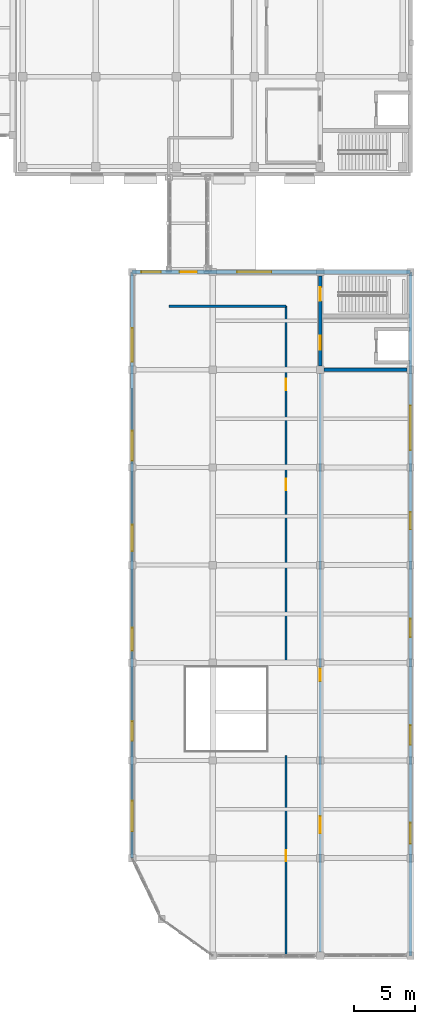
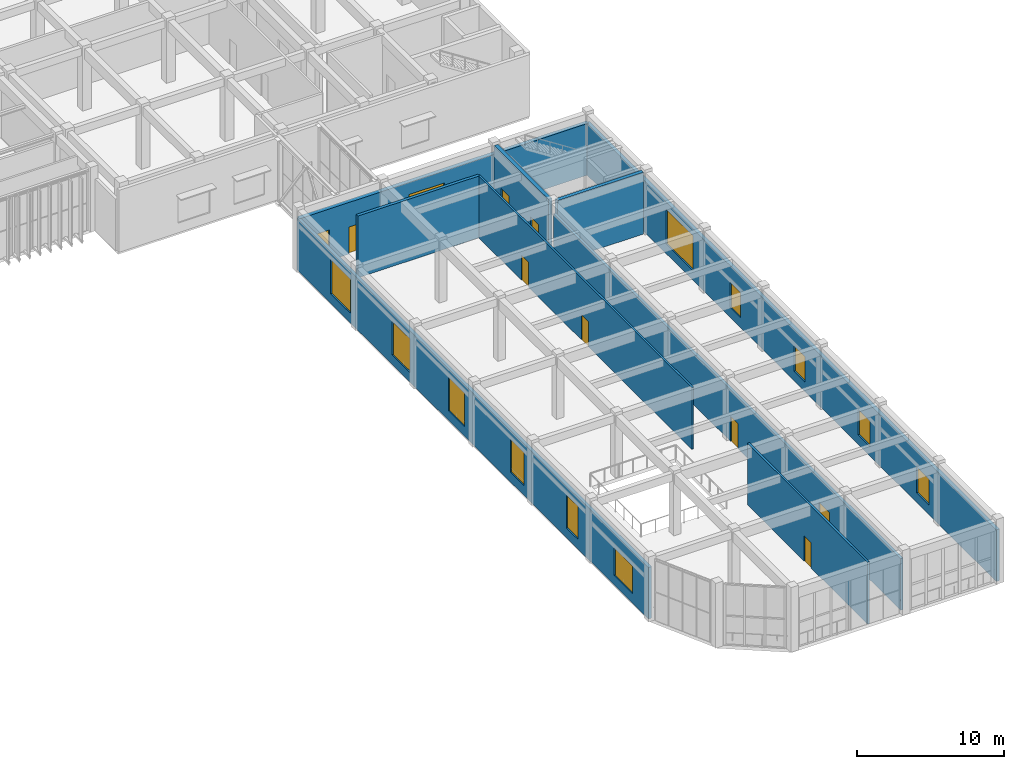
# One storey, part 43 of 64: 13 windows, 9 walls, 8 doors, 21 openings.
"""IFC4 building model written with IfcOpenShell, lengths in metres."""

from ifc_helpers import new_model, si_unit, direction, frame, frame_2d, origin, place, context, subcontext, project, spatial, rectangle, extrude, material, layer, layer_set, type_object, element, fill, save


model = new_model("IFC4")

# Units and contexts
model_context = context("Model", 3, precision=1e-05, world=origin(), true_north=direction((0.0, 1.0)))
body_context = subcontext(model_context, "Body", "Model", "MODEL_VIEW")
ifc_project = project(units=[si_unit("LENGTHUNIT", "METRE"), si_unit("AREAUNIT", "SQUARE_METRE"), si_unit("VOLUMEUNIT", "CUBIC_METRE"), si_unit("PLANEANGLEUNIT", "RADIAN"), si_unit("MASSUNIT", "GRAM", prefix="KILO")], contexts=[model_context])

# Site, building, storey
site_placement = place(None, origin())
site = spatial("IfcSite", under=ifc_project, at=site_placement, CompositionType="ELEMENT")
building_placement = place(site_placement, origin())
building = spatial("IfcBuilding", under=site, at=building_placement, Name="Cinchona Park Media Centre", CompositionType="ELEMENT")
storey_placement = place(building_placement, frame((0.0, 0.0, 10.199951171875)))
storey = spatial("IfcBuildingStorey", under=building, at=storey_placement, Name="L02", CompositionType="ELEMENT", Elevation=10.199951171875)

# Wall, openings, doors
ifc_material_1 = material(Name="Acoustic Double-Stud Gypsum Partition", Category="gypsum")
ifc_layer_1 = layer(ifc_material_1, 0.2099609375)
ifc_layer_set_1 = layer_set([ifc_layer_1], Name="Acoustic Double-Stud Gypsum Partition")
wall_type_1 = type_object("IfcWallType", Name="WALL-W-AC210", PredefinedType="PARTITIONING", material=ifc_layer_set_1)
wall_1_placement = place(storey_placement, frame((164.60009765625, 55.298095703125, 0.0), z_axis=(0.0, 0.0, 1.0), x_axis=(0.0, -1.0, 0.0)))
wall_1 = element("IfcWall", 1, at=wall_1_placement, inside=storey, type_object=wall_type_1, Name="Interior Wall W-AC210 L02", PredefinedType="PARTITIONING", context=body_context, shape_type="SweptSolid", body=[
    extrude(rectangle(XDim=47.39599609375, YDim=0.2099609375, at=frame_2d((23.697998046875, 0.0))), origin(), (0.0, 0.0, 1.0), 4.300048828125),
])
opening_1_placement = place(wall_1_placement, frame((24.179931640625, 0.0, 0.0)))
opening_1 = element("IfcOpeningElement", 2, at=opening_1_placement, cuts=wall_1, Name="Opening D288", PredefinedType="OPENING", context=body_context, shape_type="SweptSolid", body=[
    extrude(rectangle(XDim=1.02001953125, YDim=2.10009765625, at=frame_2d((0.510009765625, 1.050048828125))), frame((0.0, 0.114990234375, 0.0), z_axis=(0.0, -1.0, 0.0), x_axis=(1.0, 0.0, 0.0)), (0.0, 0.0, 1.0), 0.22998046875),
])
opening_2_placement = place(wall_1_placement, frame((36.26904296875, 0.0, 0.0)))
opening_2 = element("IfcOpeningElement", 3, at=opening_2_placement, cuts=wall_1, Name="Opening D289", PredefinedType="OPENING", context=body_context, shape_type="SweptSolid", body=[
    extrude(rectangle(XDim=1.39990234375, YDim=2.25, at=frame_2d((0.699951171875, 1.125))), frame((0.0, 0.114990234375, 0.0), z_axis=(0.0, -1.0, 0.0), x_axis=(1.0, 0.0, 0.0)), (0.0, 0.0, 1.0), 0.22998046875),
])
ifc_material_2 = material(Name="Acoustic Double-Seal Steel Door", Category="steel")
door_type_1 = type_object("IfcDoorType", Name="DOOR-DT-AC", OperationType="NOTDEFINED", PredefinedType="DOOR", material=ifc_material_2)
door_1_placement = place(opening_2_placement, origin())
door_1 = element("IfcDoor", 4, at=door_1_placement, inside=storey, type_object=door_type_1, Name="Interior Door D289", OperationType="SINGLE_SWING_LEFT", OverallHeight=2.25, OverallWidth=1.39990234375, PredefinedType="DOOR", context=body_context, shape_type="SweptSolid", body=[
    extrude(rectangle(XDim=1.39990234375, YDim=2.25, at=frame_2d((0.699951171875, 1.125))), frame((0.0, 0.02490234375, 0.0), z_axis=(0.0, -1.0, 0.0), x_axis=(1.0, 0.0, 0.0)), (0.0, 0.0, 1.0), 0.050048828125),
])
fill(opening_2, door_1)
ifc_material_3 = material(Name="Solid-Core Timber Acoustic Door", Category="wood")
door_type_2 = type_object("IfcDoorType", Name="DOOR-DT05", OperationType="NOTDEFINED", PredefinedType="DOOR", material=ifc_material_3)
door_2_placement = place(opening_1_placement, origin())
door_2 = element("IfcDoor", 5, at=door_2_placement, inside=storey, type_object=door_type_2, Name="Interior Door D288", OperationType="SINGLE_SWING_RIGHT", OverallHeight=2.10009765625, OverallWidth=1.02001953125, PredefinedType="DOOR", context=body_context, shape_type="SweptSolid", body=[
    extrude(rectangle(XDim=1.02001953125, YDim=2.10009765625, at=frame_2d((0.510009765625, 1.050048828125))), frame((0.0, 0.02490234375, 0.0), z_axis=(0.0, -1.0, 0.0), x_axis=(1.0, 0.0, 0.0)), (0.0, 0.0, 1.0), 0.050048828125),
])
fill(opening_1, door_2)

# Wall
ifc_material_4 = material(Name="Acoustic Double-Stud Gypsum Partition", Category="gypsum")
ifc_layer_2 = layer(ifc_material_4, 0.239990234375)
ifc_layer_set_2 = layer_set([ifc_layer_2], Name="Acoustic Double-Stud Gypsum Partition")
wall_type_2 = type_object("IfcWallType", Name="WALL-W-AC240", PredefinedType="PARTITIONING", material=ifc_layer_set_2)
wall_2_placement = place(storey_placement, frame((161.800048828125, 60.800048828125, 0.0), z_axis=(0.0, 0.0, 1.0), x_axis=(-1.0, 0.0, 0.0)))
element("IfcWall", 6, at=wall_2_placement, inside=storey, type_object=wall_type_2, Name="Interior Wall W-AC240 L02", PredefinedType="PARTITIONING", context=body_context, shape_type="SweptSolid", body=[
    extrude(rectangle(XDim=9.60009765625, YDim=0.239990234375, at=frame_2d((4.800048828125, 0.0))), origin(), (0.0, 0.0, 1.0), 5.150146484375),
])

# Wall, openings, door, windows
ifc_material_5 = material(Name="Precast concrete C40/50", Category="concrete")
ifc_layer_3 = layer(ifc_material_5, 0.320068359375)
ifc_layer_set_3 = layer_set([ifc_layer_3], Name="Precast concrete C40/50")
wall_type_3 = type_object("IfcWallType", Name="WALL-W-EX02", PredefinedType="SOLIDWALL", material=ifc_layer_set_3)
wall_3_placement = place(storey_placement, frame((149.199951171875, 63.60009765625, 0.0), z_axis=(0.0, 0.0, 1.0), x_axis=(1.0, 0.0, 0.0)))
wall_3 = element("IfcWall", 7, at=wall_3_placement, inside=storey, type_object=wall_type_3, Name="Exterior Wall W-EX02 V6 L02", PredefinedType="SOLIDWALL", context=body_context, shape_type="SweptSolid", body=[
    extrude(rectangle(XDim=22.800048828125, YDim=0.320068359375, at=frame_2d((11.39990234375, 0.0))), origin(), (0.0, 0.0, 1.0), 4.300048828125),
])
opening_3_placement = place(wall_3_placement, frame((0.75, 0.0, 0.89990234375)))
opening_3 = element("IfcOpeningElement", 8, at=opening_3_placement, cuts=wall_3, Name="Opening WN25", PredefinedType="OPENING", context=body_context, shape_type="SweptSolid", body=[
    extrude(rectangle(XDim=1.60009765625, YDim=1.64990234375, at=frame_2d((0.800048828125, 0.824951171875))), frame((0.0, 0.169921875, 0.0), z_axis=(0.0, -1.0, 0.0), x_axis=(1.0, 0.0, 0.0)), (0.0, 0.0, 1.0), 0.340087890625),
])
opening_4_placement = place(wall_3_placement, frame((8.60009765625, 0.0, 0.89990234375)))
opening_4 = element("IfcOpeningElement", 9, at=opening_4_placement, cuts=wall_3, Name="Opening WN15", PredefinedType="OPENING", context=body_context, shape_type="SweptSolid", body=[
    extrude(rectangle(XDim=2.800048828125, YDim=2.39990234375, at=frame_2d((1.39990234375, 1.199951171875))), frame((0.0, 0.169921875, 0.0), z_axis=(0.0, -1.0, 0.0), x_axis=(1.0, 0.0, 0.0)), (0.0, 0.0, 1.0), 0.340087890625),
])
opening_5_placement = place(wall_3_placement, frame((3.89990234375, 0.0, 0.0)))
opening_5 = element("IfcOpeningElement", 10, at=opening_5_placement, cuts=wall_3, Name="Opening D137", PredefinedType="OPENING", context=body_context, shape_type="SweptSolid", body=[
    extrude(rectangle(XDim=1.39990234375, YDim=2.25, at=frame_2d((0.699951171875, 1.125))), frame((0.0, 0.169921875, 0.0), z_axis=(0.0, -1.0, 0.0), x_axis=(1.0, 0.0, 0.0)), (0.0, 0.0, 1.0), 0.340087890625),
])
door_3_placement = place(opening_5_placement, origin())
door_3 = element("IfcDoor", 11, at=door_3_placement, inside=storey, type_object=door_type_1, Name="Interior Door D137", OperationType="SINGLE_SWING_LEFT", OverallHeight=2.25, OverallWidth=1.39990234375, PredefinedType="DOOR", context=body_context, shape_type="SweptSolid", body=[
    extrude(rectangle(XDim=1.39990234375, YDim=2.25, at=frame_2d((0.699951171875, 1.125))), frame((0.0, 0.02490234375, 0.0), z_axis=(0.0, -1.0, 0.0), x_axis=(1.0, 0.0, 0.0)), (0.0, 0.0, 1.0), 0.050048828125),
])
fill(opening_5, door_3)
ifc_material_6 = material(Name="Thermally Broken Aluminium Solar-Control Window", Category="aluminium")
window_type_1 = type_object("IfcWindowType", Name="WIN-WN15", PartitioningType="SINGLE_PANEL", PredefinedType="WINDOW", material=ifc_material_6)
window_1_placement = place(opening_4_placement, origin())
window_1 = element("IfcWindow", 12, at=window_1_placement, inside=storey, type_object=window_type_1, Name="Window WN15 L02", OverallHeight=2.39990234375, OverallWidth=2.800048828125, PartitioningType="SINGLE_PANEL", PredefinedType="WINDOW", context=body_context, shape_type="SweptSolid", body=[
    extrude(rectangle(XDim=2.800048828125, YDim=2.39990234375, at=frame_2d((1.39990234375, 1.199951171875))), frame((0.0, 0.030029296875, 0.0), z_axis=(0.0, -1.0, 0.0), x_axis=(1.0, 0.0, 0.0)), (0.0, 0.0, 1.0), 0.06005859375),
])
fill(opening_4, window_1)
ifc_material_7 = material(Name="Thermally Broken Aluminium Solar-Control Window", Category="aluminium")
window_type_2 = type_object("IfcWindowType", Name="WIN-WN25", PartitioningType="SINGLE_PANEL", PredefinedType="WINDOW", material=ifc_material_7)
window_2_placement = place(opening_3_placement, origin())
window_2 = element("IfcWindow", 13, at=window_2_placement, inside=storey, type_object=window_type_2, Name="Window WN25 L02", OverallHeight=1.64990234375, OverallWidth=1.60009765625, PartitioningType="SINGLE_PANEL", PredefinedType="WINDOW", context=body_context, shape_type="SweptSolid", body=[
    extrude(rectangle(XDim=1.60009765625, YDim=1.64990234375, at=frame_2d((0.800048828125, 0.824951171875))), frame((0.0, 0.030029296875, 0.0), z_axis=(0.0, -1.0, 0.0), x_axis=(1.0, 0.0, 0.0)), (0.0, 0.0, 1.0), 0.06005859375),
])
fill(opening_3, window_2)

# Wall, openings, windows
ifc_material_8 = material(Name="Precast concrete C40/50", Category="concrete")
ifc_layer_4 = layer(ifc_material_8, 0.27490234375)
ifc_layer_set_4 = layer_set([ifc_layer_4], Name="Precast concrete C40/50")
wall_type_4 = type_object("IfcWallType", Name="WALL-W-EX03", PredefinedType="SOLIDWALL", material=ifc_layer_set_4)
wall_4_placement = place(storey_placement, frame((172.0, 63.60009765625, 0.0), z_axis=(0.0, 0.0, 1.0), x_axis=(0.0, -1.0, 0.0)))
wall_4 = element("IfcWall", 14, at=wall_4_placement, inside=storey, type_object=wall_type_4, Name="Exterior Wall W-EX03 V6 L02", PredefinedType="SOLIDWALL", context=body_context, shape_type="SweptSolid", body=[
    extrude(rectangle(XDim=56.0, YDim=0.27490234375, at=frame_2d((28.0, 0.0))), origin(), (0.0, 0.0, 1.0), 4.300048828125),
])
opening_6_placement = place(wall_4_placement, frame((10.93310546875, 0.0, 0.800048828125)))
opening_6 = element("IfcOpeningElement", 15, at=opening_6_placement, cuts=wall_4, Name="Opening WN44", PredefinedType="OPENING", context=body_context, shape_type="SweptSolid", body=[
    extrude(rectangle(XDim=3.64990234375, YDim=2.89990234375, at=frame_2d((1.824951171875, 1.449951171875))), frame((0.0, 0.1474609375, 0.0), z_axis=(0.0, -1.0, 0.0), x_axis=(1.0, 0.0, 0.0)), (0.0, 0.0, 1.0), 0.294921875),
])
opening_7_placement = place(wall_4_placement, frame((19.6669921875, 0.0, 0.800048828125)))
opening_7 = element("IfcOpeningElement", 16, at=opening_7_placement, cuts=wall_4, Name="Opening WN01", PredefinedType="OPENING", context=body_context, shape_type="SweptSolid", body=[
    extrude(rectangle(XDim=1.39990234375, YDim=2.10009765625, at=frame_2d((0.699951171875, 1.050048828125))), frame((0.0, 0.1474609375, 0.0), z_axis=(0.0, -1.0, 0.0), x_axis=(1.0, 0.0, 0.0)), (0.0, 0.0, 1.0), 0.294921875),
])
opening_8_placement = place(wall_4_placement, frame((28.39990234375, 0.0, 0.800048828125)))
opening_8 = element("IfcOpeningElement", 17, at=opening_8_placement, cuts=wall_4, Name="Opening WN02", PredefinedType="OPENING", context=body_context, shape_type="SweptSolid", body=[
    extrude(rectangle(XDim=1.5, YDim=2.10009765625, at=frame_2d((0.75, 1.050048828125))), frame((0.0, 0.1474609375, 0.0), z_axis=(0.0, -1.0, 0.0), x_axis=(1.0, 0.0, 0.0)), (0.0, 0.0, 1.0), 0.294921875),
])
opening_9_placement = place(wall_4_placement, frame((37.133056640625, 0.0, 0.800048828125)))
opening_9 = element("IfcOpeningElement", 18, at=opening_9_placement, cuts=wall_4, Name="Opening WN03", PredefinedType="OPENING", context=body_context, shape_type="SweptSolid", body=[
    extrude(rectangle(XDim=1.60009765625, YDim=2.10009765625, at=frame_2d((0.800048828125, 1.050048828125))), frame((0.0, 0.1474609375, 0.0), z_axis=(0.0, -1.0, 0.0), x_axis=(1.0, 0.0, 0.0)), (0.0, 0.0, 1.0), 0.294921875),
])
opening_10_placement = place(wall_4_placement, frame((45.116943359375, 0.0, 0.800048828125)))
opening_10 = element("IfcOpeningElement", 19, at=opening_10_placement, cuts=wall_4, Name="Opening WN04", PredefinedType="OPENING", context=body_context, shape_type="SweptSolid", body=[
    extrude(rectangle(XDim=1.699951171875, YDim=2.14990234375, at=frame_2d((0.85009765625, 1.074951171875))), frame((0.0, 0.1474609375, 0.0), z_axis=(0.0, -1.0, 0.0), x_axis=(1.0, 0.0, 0.0)), (0.0, 0.0, 1.0), 0.294921875),
])
ifc_material_9 = material(Name="Thermally Broken Aluminium Solar-Control Window", Category="aluminium")
window_type_3 = type_object("IfcWindowType", Name="WIN-WN01", PartitioningType="SINGLE_PANEL", PredefinedType="WINDOW", material=ifc_material_9)
window_3_placement = place(opening_7_placement, origin())
window_3 = element("IfcWindow", 20, at=window_3_placement, inside=storey, type_object=window_type_3, Name="Window WN01 L02", OverallHeight=2.10009765625, OverallWidth=1.39990234375, PartitioningType="SINGLE_PANEL", PredefinedType="WINDOW", context=body_context, shape_type="SweptSolid", body=[
    extrude(rectangle(XDim=1.39990234375, YDim=2.10009765625, at=frame_2d((0.699951171875, 1.050048828125))), frame((0.0, 0.030029296875, 0.0), z_axis=(0.0, -1.0, 0.0), x_axis=(1.0, 0.0, 0.0)), (0.0, 0.0, 1.0), 0.06005859375),
])
fill(opening_7, window_3)
ifc_material_10 = material(Name="Thermally Broken Aluminium Solar-Control Window", Category="aluminium")
window_type_4 = type_object("IfcWindowType", Name="WIN-WN02", PartitioningType="SINGLE_PANEL", PredefinedType="WINDOW", material=ifc_material_10)
window_4_placement = place(opening_8_placement, origin())
window_4 = element("IfcWindow", 21, at=window_4_placement, inside=storey, type_object=window_type_4, Name="Window WN02 L02", OverallHeight=2.10009765625, OverallWidth=1.5, PartitioningType="SINGLE_PANEL", PredefinedType="WINDOW", context=body_context, shape_type="SweptSolid", body=[
    extrude(rectangle(XDim=1.5, YDim=2.10009765625, at=frame_2d((0.75, 1.050048828125))), frame((0.0, 0.030029296875, 0.0), z_axis=(0.0, -1.0, 0.0), x_axis=(1.0, 0.0, 0.0)), (0.0, 0.0, 1.0), 0.06005859375),
])
fill(opening_8, window_4)
ifc_material_11 = material(Name="Thermally Broken Aluminium Solar-Control Window", Category="aluminium")
window_type_5 = type_object("IfcWindowType", Name="WIN-WN03", PartitioningType="SINGLE_PANEL", PredefinedType="WINDOW", material=ifc_material_11)
window_5_placement = place(opening_9_placement, origin())
window_5 = element("IfcWindow", 22, at=window_5_placement, inside=storey, type_object=window_type_5, Name="Window WN03 L02", OverallHeight=2.10009765625, OverallWidth=1.60009765625, PartitioningType="SINGLE_PANEL", PredefinedType="WINDOW", context=body_context, shape_type="SweptSolid", body=[
    extrude(rectangle(XDim=1.60009765625, YDim=2.10009765625, at=frame_2d((0.800048828125, 1.050048828125))), frame((0.0, 0.030029296875, 0.0), z_axis=(0.0, -1.0, 0.0), x_axis=(1.0, 0.0, 0.0)), (0.0, 0.0, 1.0), 0.06005859375),
])
fill(opening_9, window_5)
ifc_material_12 = material(Name="Thermally Broken Aluminium Solar-Control Window", Category="aluminium")
window_type_6 = type_object("IfcWindowType", Name="WIN-WN04", PartitioningType="SINGLE_PANEL", PredefinedType="WINDOW", material=ifc_material_12)
window_6_placement = place(opening_10_placement, origin())
window_6 = element("IfcWindow", 23, at=window_6_placement, inside=storey, type_object=window_type_6, Name="Window WN04 L02", OverallHeight=2.14990234375, OverallWidth=1.699951171875, PartitioningType="SINGLE_PANEL", PredefinedType="WINDOW", context=body_context, shape_type="SweptSolid", body=[
    extrude(rectangle(XDim=1.699951171875, YDim=2.14990234375, at=frame_2d((0.85009765625, 1.074951171875))), frame((0.0, 0.030029296875, 0.0), z_axis=(0.0, -1.0, 0.0), x_axis=(1.0, 0.0, 0.0)), (0.0, 0.0, 1.0), 0.06005859375),
])
fill(opening_10, window_6)
ifc_material_13 = material(Name="Thermally Broken Aluminium Solar-Control Window", Category="aluminium")
window_type_7 = type_object("IfcWindowType", Name="WIN-WN44", PartitioningType="SINGLE_PANEL", PredefinedType="WINDOW", material=ifc_material_13)
window_7_placement = place(opening_6_placement, origin())
window_7 = element("IfcWindow", 24, at=window_7_placement, inside=storey, type_object=window_type_7, Name="Window WN44 L02", OverallHeight=2.89990234375, OverallWidth=3.64990234375, PartitioningType="SINGLE_PANEL", PredefinedType="WINDOW", context=body_context, shape_type="SweptSolid", body=[
    extrude(rectangle(XDim=3.64990234375, YDim=2.89990234375, at=frame_2d((1.824951171875, 1.449951171875))), frame((0.0, 0.030029296875, 0.0), z_axis=(0.0, -1.0, 0.0), x_axis=(1.0, 0.0, 0.0)), (0.0, 0.0, 1.0), 0.06005859375),
])
fill(opening_6, window_7)

ifc_material_14 = material(Name="Precast concrete C40/50", Category="concrete")
ifc_layer_5 = layer(ifc_material_14, 0.25)
ifc_layer_set_5 = layer_set([ifc_layer_5], Name="Precast concrete C40/50")
wall_type_5 = type_object("IfcWallType", Name="WALL-W-EX04", PredefinedType="SOLIDWALL", material=ifc_layer_set_5)
wall_5_placement = place(storey_placement, frame((149.199951171875, 15.60009765625, 0.0), z_axis=(0.0, 0.0, 1.0), x_axis=(0.0, 1.0, 0.0)))
wall_5 = element("IfcWall", 25, at=wall_5_placement, inside=storey, type_object=wall_type_5, Name="Exterior Wall W-EX04 V6 L02", PredefinedType="SOLIDWALL", context=body_context, shape_type="SweptSolid", body=[
    extrude(rectangle(XDim=48.0, YDim=0.25, at=frame_2d((24.0, 0.0))), origin(), (0.0, 0.0, 1.0), 4.300048828125),
])
opening_11_placement = place(wall_5_placement, frame((2.199951171875, 0.0, 0.800048828125)))
opening_11 = element("IfcOpeningElement", 26, at=opening_11_placement, cuts=wall_5, Name="Opening WN12", PredefinedType="OPENING", context=body_context, shape_type="SweptSolid", body=[
    extrude(rectangle(XDim=2.5, YDim=2.300048828125, at=frame_2d((1.25, 1.14990234375))), frame((0.0, 0.135009765625, 0.0), z_axis=(0.0, -1.0, 0.0), x_axis=(1.0, 0.0, 0.0)), (0.0, 0.0, 1.0), 0.27001953125),
])
opening_12_placement = place(wall_5_placement, frame((9.60009765625, 0.0, 0.800048828125)))
opening_12 = element("IfcOpeningElement", 27, at=opening_12_placement, cuts=wall_5, Name="Opening WN37", PredefinedType="OPENING", context=body_context, shape_type="SweptSolid", body=[
    extrude(rectangle(XDim=1.60009765625, YDim=2.75, at=frame_2d((0.800048828125, 1.375))), frame((0.0, 0.135009765625, 0.0), z_axis=(0.0, -1.0, 0.0), x_axis=(1.0, 0.0, 0.0)), (0.0, 0.0, 1.0), 0.27001953125),
])
opening_13_placement = place(wall_5_placement, frame((17.0, 0.0, 0.800048828125)))
opening_13 = element("IfcOpeningElement", 28, at=opening_13_placement, cuts=wall_5, Name="Opening WN38", PredefinedType="OPENING", context=body_context, shape_type="SweptSolid", body=[
    extrude(rectangle(XDim=1.85009765625, YDim=2.75, at=frame_2d((0.925048828125, 1.375))), frame((0.0, 0.135009765625, 0.0), z_axis=(0.0, -1.0, 0.0), x_axis=(1.0, 0.0, 0.0)), (0.0, 0.0, 1.0), 0.27001953125),
])
opening_14_placement = place(wall_5_placement, frame((25.14990234375, 0.0, 0.800048828125)))
opening_14 = element("IfcOpeningElement", 29, at=opening_14_placement, cuts=wall_5, Name="Opening WN39", PredefinedType="OPENING", context=body_context, shape_type="SweptSolid", body=[
    extrude(rectangle(XDim=2.14990234375, YDim=2.800048828125, at=frame_2d((1.074951171875, 1.39990234375))), frame((0.0, 0.135009765625, 0.0), z_axis=(0.0, -1.0, 0.0), x_axis=(1.0, 0.0, 0.0)), (0.0, 0.0, 1.0), 0.27001953125),
])
opening_15_placement = place(wall_5_placement, frame((32.550048828125, 0.0, 0.800048828125)))
opening_15 = element("IfcOpeningElement", 30, at=opening_15_placement, cuts=wall_5, Name="Opening WN40", PredefinedType="OPENING", context=body_context, shape_type="SweptSolid", body=[
    extrude(rectangle(XDim=2.449951171875, YDim=2.800048828125, at=frame_2d((1.22509765625, 1.39990234375))), frame((0.0, 0.135009765625, 0.0), z_axis=(0.0, -1.0, 0.0), x_axis=(1.0, 0.0, 0.0)), (0.0, 0.0, 1.0), 0.27001953125),
])
opening_16_placement = place(wall_5_placement, frame((40.64990234375, 0.0, 0.800048828125)))
opening_16 = element("IfcOpeningElement", 31, at=opening_16_placement, cuts=wall_5, Name="Opening WN41", PredefinedType="OPENING", context=body_context, shape_type="SweptSolid", body=[
    extrude(rectangle(XDim=2.75, YDim=2.85009765625, at=frame_2d((1.375, 1.425048828125))), frame((0.0, 0.135009765625, 0.0), z_axis=(0.0, -1.0, 0.0), x_axis=(1.0, 0.0, 0.0)), (0.0, 0.0, 1.0), 0.27001953125),
])
ifc_material_15 = material(Name="Thermally Broken Aluminium Solar-Control Window", Category="aluminium")
window_type_8 = type_object("IfcWindowType", Name="WIN-WN12", PartitioningType="SINGLE_PANEL", PredefinedType="WINDOW", material=ifc_material_15)
window_8_placement = place(opening_11_placement, origin())
window_8 = element("IfcWindow", 32, at=window_8_placement, inside=storey, type_object=window_type_8, Name="Window WN12 L02", OverallHeight=2.300048828125, OverallWidth=2.5, PartitioningType="SINGLE_PANEL", PredefinedType="WINDOW", context=body_context, shape_type="SweptSolid", body=[
    extrude(rectangle(XDim=2.5, YDim=2.300048828125, at=frame_2d((1.25, 1.14990234375))), frame((0.0, 0.030029296875, 0.0), z_axis=(0.0, -1.0, 0.0), x_axis=(1.0, 0.0, 0.0)), (0.0, 0.0, 1.0), 0.06005859375),
])
fill(opening_11, window_8)
ifc_material_16 = material(Name="Thermally Broken Aluminium Solar-Control Window", Category="aluminium")
window_type_9 = type_object("IfcWindowType", Name="WIN-WN37", PartitioningType="SINGLE_PANEL", PredefinedType="WINDOW", material=ifc_material_16)
window_9_placement = place(opening_12_placement, origin())
window_9 = element("IfcWindow", 33, at=window_9_placement, inside=storey, type_object=window_type_9, Name="Window WN37 L02", OverallHeight=2.75, OverallWidth=1.60009765625, PartitioningType="SINGLE_PANEL", PredefinedType="WINDOW", context=body_context, shape_type="SweptSolid", body=[
    extrude(rectangle(XDim=1.60009765625, YDim=2.75, at=frame_2d((0.800048828125, 1.375))), frame((0.0, 0.030029296875, 0.0), z_axis=(0.0, -1.0, 0.0), x_axis=(1.0, 0.0, 0.0)), (0.0, 0.0, 1.0), 0.06005859375),
])
fill(opening_12, window_9)
ifc_material_17 = material(Name="Thermally Broken Aluminium Solar-Control Window", Category="aluminium")
window_type_10 = type_object("IfcWindowType", Name="WIN-WN38", PartitioningType="SINGLE_PANEL", PredefinedType="WINDOW", material=ifc_material_17)
window_10_placement = place(opening_13_placement, origin())
window_10 = element("IfcWindow", 34, at=window_10_placement, inside=storey, type_object=window_type_10, Name="Window WN38 L02", OverallHeight=2.75, OverallWidth=1.85009765625, PartitioningType="SINGLE_PANEL", PredefinedType="WINDOW", context=body_context, shape_type="SweptSolid", body=[
    extrude(rectangle(XDim=1.85009765625, YDim=2.75, at=frame_2d((0.925048828125, 1.375))), frame((0.0, 0.030029296875, 0.0), z_axis=(0.0, -1.0, 0.0), x_axis=(1.0, 0.0, 0.0)), (0.0, 0.0, 1.0), 0.06005859375),
])
fill(opening_13, window_10)
ifc_material_18 = material(Name="Thermally Broken Aluminium Solar-Control Window", Category="aluminium")
window_type_11 = type_object("IfcWindowType", Name="WIN-WN39", PartitioningType="SINGLE_PANEL", PredefinedType="WINDOW", material=ifc_material_18)
window_11_placement = place(opening_14_placement, origin())
window_11 = element("IfcWindow", 35, at=window_11_placement, inside=storey, type_object=window_type_11, Name="Window WN39 L02", OverallHeight=2.800048828125, OverallWidth=2.14990234375, PartitioningType="SINGLE_PANEL", PredefinedType="WINDOW", context=body_context, shape_type="SweptSolid", body=[
    extrude(rectangle(XDim=2.14990234375, YDim=2.800048828125, at=frame_2d((1.074951171875, 1.39990234375))), frame((0.0, 0.030029296875, 0.0), z_axis=(0.0, -1.0, 0.0), x_axis=(1.0, 0.0, 0.0)), (0.0, 0.0, 1.0), 0.06005859375),
])
fill(opening_14, window_11)
ifc_material_19 = material(Name="Thermally Broken Aluminium Solar-Control Window", Category="aluminium")
window_type_12 = type_object("IfcWindowType", Name="WIN-WN40", PartitioningType="SINGLE_PANEL", PredefinedType="WINDOW", material=ifc_material_19)
window_12_placement = place(opening_15_placement, origin())
window_12 = element("IfcWindow", 36, at=window_12_placement, inside=storey, type_object=window_type_12, Name="Window WN40 L02", OverallHeight=2.800048828125, OverallWidth=2.449951171875, PartitioningType="SINGLE_PANEL", PredefinedType="WINDOW", context=body_context, shape_type="SweptSolid", body=[
    extrude(rectangle(XDim=2.449951171875, YDim=2.800048828125, at=frame_2d((1.22509765625, 1.39990234375))), frame((0.0, 0.030029296875, 0.0), z_axis=(0.0, -1.0, 0.0), x_axis=(1.0, 0.0, 0.0)), (0.0, 0.0, 1.0), 0.06005859375),
])
fill(opening_15, window_12)
ifc_material_20 = material(Name="Thermally Broken Aluminium Solar-Control Window", Category="aluminium")
window_type_13 = type_object("IfcWindowType", Name="WIN-WN41", PartitioningType="SINGLE_PANEL", PredefinedType="WINDOW", material=ifc_material_20)
window_13_placement = place(opening_16_placement, origin())
window_13 = element("IfcWindow", 37, at=window_13_placement, inside=storey, type_object=window_type_13, Name="Window WN41 L02", OverallHeight=2.85009765625, OverallWidth=2.75, PartitioningType="SINGLE_PANEL", PredefinedType="WINDOW", context=body_context, shape_type="SweptSolid", body=[
    extrude(rectangle(XDim=2.75, YDim=2.85009765625, at=frame_2d((1.375, 1.425048828125))), frame((0.0, 0.030029296875, 0.0), z_axis=(0.0, -1.0, 0.0), x_axis=(1.0, 0.0, 0.0)), (0.0, 0.0, 1.0), 0.06005859375),
])
fill(opening_16, window_13)

# Wall, openings, doors
ifc_material_21 = material(Name="Fire-Rated Gypsum Stud Partition", Category="gypsum")
ifc_layer_6 = layer(ifc_material_21, 0.14990234375)
ifc_layer_set_6 = layer_set([ifc_layer_6], Name="Fire-Rated Gypsum Stud Partition")
wall_type_6 = type_object("IfcWallType", Name="WALL-W-PT150", PredefinedType="PARTITIONING", material=ifc_layer_set_6)
wall_6_placement = place(storey_placement, frame((161.800048828125, 31.60009765625, 0.0), z_axis=(0.0, 0.0, 1.0), x_axis=(0.0, 1.0, 0.0)))
wall_6 = element("IfcWall", 38, at=wall_6_placement, inside=storey, type_object=wall_type_6, Name="Interior Wall W-PT150 L02", PredefinedType="PARTITIONING", context=body_context, shape_type="SweptSolid", body=[
    extrude(rectangle(XDim=29.199951171875, YDim=0.14990234375, at=frame_2d((14.60009765625, 0.0))), origin(), (0.0, 0.0, 1.0), 5.150146484375),
])
opening_17_placement = place(wall_6_placement, frame((14.125, 0.0, 0.0)))
opening_17 = element("IfcOpeningElement", 39, at=opening_17_placement, cuts=wall_6, Name="Opening D286", PredefinedType="OPENING", context=body_context, shape_type="SweptSolid", body=[
    extrude(rectangle(XDim=0.949951171875, YDim=2.10009765625, at=frame_2d((0.47509765625, 1.050048828125))), frame((0.0, 0.0849609375, 0.0), z_axis=(0.0, -1.0, 0.0), x_axis=(1.0, 0.0, 0.0)), (0.0, 0.0, 1.0), 0.169921875),
])
opening_18_placement = place(wall_6_placement, frame((22.301025390625, 0.0, 0.0)))
opening_18 = element("IfcOpeningElement", 40, at=opening_18_placement, cuts=wall_6, Name="Opening D287", PredefinedType="OPENING", context=body_context, shape_type="SweptSolid", body=[
    extrude(rectangle(XDim=0.949951171875, YDim=2.10009765625, at=frame_2d((0.47509765625, 1.050048828125))), frame((0.0, 0.0849609375, 0.0), z_axis=(0.0, -1.0, 0.0), x_axis=(1.0, 0.0, 0.0)), (0.0, 0.0, 1.0), 0.169921875),
])
ifc_material_22 = material(Name="Solid-Core Timber Acoustic Door", Category="wood")
door_type_3 = type_object("IfcDoorType", Name="DOOR-DT02", OperationType="NOTDEFINED", PredefinedType="DOOR", material=ifc_material_22)
door_4_placement = place(opening_17_placement, origin())
door_4 = element("IfcDoor", 41, at=door_4_placement, inside=storey, type_object=door_type_3, Name="Interior Door D286", OperationType="SINGLE_SWING_RIGHT", OverallHeight=2.10009765625, OverallWidth=0.949951171875, PredefinedType="DOOR", context=body_context, shape_type="SweptSolid", body=[
    extrude(rectangle(XDim=0.949951171875, YDim=2.10009765625, at=frame_2d((0.47509765625, 1.050048828125))), frame((0.0, 0.02490234375, 0.0), z_axis=(0.0, -1.0, 0.0), x_axis=(1.0, 0.0, 0.0)), (0.0, 0.0, 1.0), 0.050048828125),
])
fill(opening_17, door_4)
door_5_placement = place(opening_18_placement, origin())
door_5 = element("IfcDoor", 42, at=door_5_placement, inside=storey, type_object=door_type_3, Name="Interior Door D287", OperationType="SINGLE_SWING_LEFT", OverallHeight=2.10009765625, OverallWidth=0.949951171875, PredefinedType="DOOR", context=body_context, shape_type="SweptSolid", body=[
    extrude(rectangle(XDim=0.949951171875, YDim=2.10009765625, at=frame_2d((0.47509765625, 1.050048828125))), frame((0.0, 0.02490234375, 0.0), z_axis=(0.0, -1.0, 0.0), x_axis=(1.0, 0.0, 0.0)), (0.0, 0.0, 1.0), 0.050048828125),
])
fill(opening_18, door_5)

# Wall, opening, door
ifc_material_23 = material(Name="Fire-Rated Gypsum Stud Partition", Category="gypsum")
ifc_layer_7 = layer(ifc_material_23, 0.1650390625)
ifc_layer_set_7 = layer_set([ifc_layer_7], Name="Fire-Rated Gypsum Stud Partition")
wall_type_7 = type_object("IfcWallType", Name="WALL-W-PT165", PredefinedType="PARTITIONING", material=ifc_layer_set_7)
wall_7_placement = place(storey_placement, frame((161.800048828125, 7.60009765625, 0.0), z_axis=(0.0, 0.0, 1.0), x_axis=(0.0, 1.0, 0.0)))
wall_7 = element("IfcWall", 43, at=wall_7_placement, inside=storey, type_object=wall_type_7, Name="Interior Wall W-PT165 L02", PredefinedType="PARTITIONING", context=body_context, shape_type="SweptSolid", body=[
    extrude(rectangle(XDim=16.39990234375, YDim=0.1650390625, at=frame_2d((8.199951171875, 0.0))), origin(), (0.0, 0.0, 1.0), 5.150146484375),
])
opening_19_placement = place(wall_7_placement, frame((7.739990234375, 0.0, 0.0)))
opening_19 = element("IfcOpeningElement", 44, at=opening_19_placement, cuts=wall_7, Name="Opening D285", PredefinedType="OPENING", context=body_context, shape_type="SweptSolid", body=[
    extrude(rectangle(XDim=0.919921875, YDim=2.10009765625, at=frame_2d((0.4599609375, 1.050048828125))), frame((0.0, 0.092529296875, 0.0), z_axis=(0.0, -1.0, 0.0), x_axis=(1.0, 0.0, 0.0)), (0.0, 0.0, 1.0), 0.18505859375),
])
ifc_material_24 = material(Name="Solid-Core Timber Acoustic Door", Category="wood")
door_type_4 = type_object("IfcDoorType", Name="DOOR-DT01", OperationType="NOTDEFINED", PredefinedType="DOOR", material=ifc_material_24)
door_6_placement = place(opening_19_placement, origin())
door_6 = element("IfcDoor", 45, at=door_6_placement, inside=storey, type_object=door_type_4, Name="Interior Door D285", OperationType="SINGLE_SWING_LEFT", OverallHeight=2.10009765625, OverallWidth=0.919921875, PredefinedType="DOOR", context=body_context, shape_type="SweptSolid", body=[
    extrude(rectangle(XDim=0.919921875, YDim=2.10009765625, at=frame_2d((0.4599609375, 1.050048828125))), frame((0.0, 0.02490234375, 0.0), z_axis=(0.0, -1.0, 0.0), x_axis=(1.0, 0.0, 0.0)), (0.0, 0.0, 1.0), 0.050048828125),
])
fill(opening_19, door_6)

# Wall
ifc_material_25 = material(Name="Concrete C40/50", Category="concrete")
ifc_layer_8 = layer(ifc_material_25, 0.2900390625)
ifc_layer_set_8 = layer_set([ifc_layer_8], Name="Concrete C40/50")
wall_type_8 = type_object("IfcWallType", Name="WALL-W-SH290", PredefinedType="SHEAR", material=ifc_layer_set_8)
wall_8_placement = place(storey_placement, frame((164.902099609375, 55.60009765625, 0.0), z_axis=(0.0, 0.0, 1.0), x_axis=(1.0, 0.0, 0.0)))
element("IfcWall", 46, at=wall_8_placement, inside=storey, type_object=wall_type_8, Name="Core Shear Wall W-SH290 L02", PredefinedType="SHEAR", context=body_context, shape_type="SweptSolid", body=[
    extrude(rectangle(XDim=6.7958984375, YDim=0.2900390625, at=frame_2d((3.39794921875, 0.0))), origin(), (0.0, 0.0, 1.0), 5.150146484375),
])

# Wall, openings, doors
wall_9_placement = place(storey_placement, frame((164.60009765625, 55.902099609375, 0.0), z_axis=(0.0, 0.0, 1.0), x_axis=(0.0, 1.0, 0.0)))
wall_9 = element("IfcWall", 47, at=wall_9_placement, inside=storey, type_object=wall_type_8, Name="Core Shear Wall W-SH290 L02", PredefinedType="SHEAR", context=body_context, shape_type="SweptSolid", body=[
    extrude(rectangle(XDim=7.39599609375, YDim=0.2900390625, at=frame_2d((3.697998046875, 0.0))), origin(), (0.0, 0.0, 1.0), 5.150146484375),
])
opening_20_placement = place(wall_9_placement, frame((5.347900390625, 0.0, 0.0)))
opening_20 = element("IfcOpeningElement", 48, at=opening_20_placement, cuts=wall_9, Name="Opening D088", PredefinedType="OPENING", context=body_context, shape_type="SweptSolid", body=[
    extrude(rectangle(XDim=1.10009765625, YDim=2.14990234375, at=frame_2d((0.550048828125, 1.074951171875))), frame((0.0, 0.155029296875, 0.0), z_axis=(0.0, -1.0, 0.0), x_axis=(1.0, 0.0, 0.0)), (0.0, 0.0, 1.0), 0.31005859375),
])
opening_21_placement = place(wall_9_placement, frame((1.322998046875, 0.0, 0.0)))
opening_21 = element("IfcOpeningElement", 49, at=opening_21_placement, cuts=wall_9, Name="Opening D089", PredefinedType="OPENING", context=body_context, shape_type="SweptSolid", body=[
    extrude(rectangle(XDim=1.14990234375, YDim=2.199951171875, at=frame_2d((0.574951171875, 1.10009765625))), frame((0.0, 0.155029296875, 0.0), z_axis=(0.0, -1.0, 0.0), x_axis=(1.0, 0.0, 0.0)), (0.0, 0.0, 1.0), 0.31005859375),
])
ifc_material_26 = material(Name="Insulated Fire-Rated Steel Door", Category="steel")
door_type_5 = type_object("IfcDoorType", Name="DOOR-DT-FF", OperationType="NOTDEFINED", PredefinedType="DOOR", material=ifc_material_26)
door_7_placement = place(opening_21_placement, origin())
door_7 = element("IfcDoor", 50, at=door_7_placement, inside=storey, type_object=door_type_5, Name="Interior Door D089", OperationType="SINGLE_SWING_LEFT", OverallHeight=2.199951171875, OverallWidth=1.14990234375, PredefinedType="DOOR", context=body_context, shape_type="SweptSolid", body=[
    extrude(rectangle(XDim=1.14990234375, YDim=2.199951171875, at=frame_2d((0.574951171875, 1.10009765625))), frame((0.0, 0.02490234375, 0.0), z_axis=(0.0, -1.0, 0.0), x_axis=(1.0, 0.0, 0.0)), (0.0, 0.0, 1.0), 0.050048828125),
])
fill(opening_21, door_7)
ifc_material_27 = material(Name="Insulated Fire-Rated Steel Door", Category="steel")
door_type_6 = type_object("IfcDoorType", Name="DOOR-DT-ST", OperationType="NOTDEFINED", PredefinedType="DOOR", material=ifc_material_27)
door_8_placement = place(opening_20_placement, origin())
door_8 = element("IfcDoor", 51, at=door_8_placement, inside=storey, type_object=door_type_6, Name="Interior Door D088", OperationType="SINGLE_SWING_RIGHT", OverallHeight=2.14990234375, OverallWidth=1.10009765625, PredefinedType="DOOR", context=body_context, shape_type="SweptSolid", body=[
    extrude(rectangle(XDim=1.10009765625, YDim=2.14990234375, at=frame_2d((0.550048828125, 1.074951171875))), frame((0.0, 0.02490234375, 0.0), z_axis=(0.0, -1.0, 0.0), x_axis=(1.0, 0.0, 0.0)), (0.0, 0.0, 1.0), 0.050048828125),
])
fill(opening_20, door_8)

save(model, "model.ifc")
